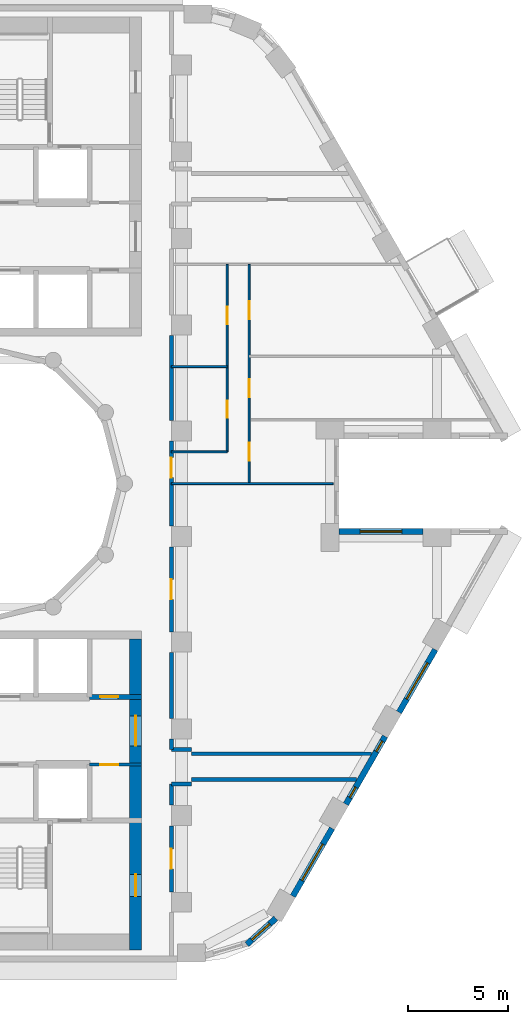
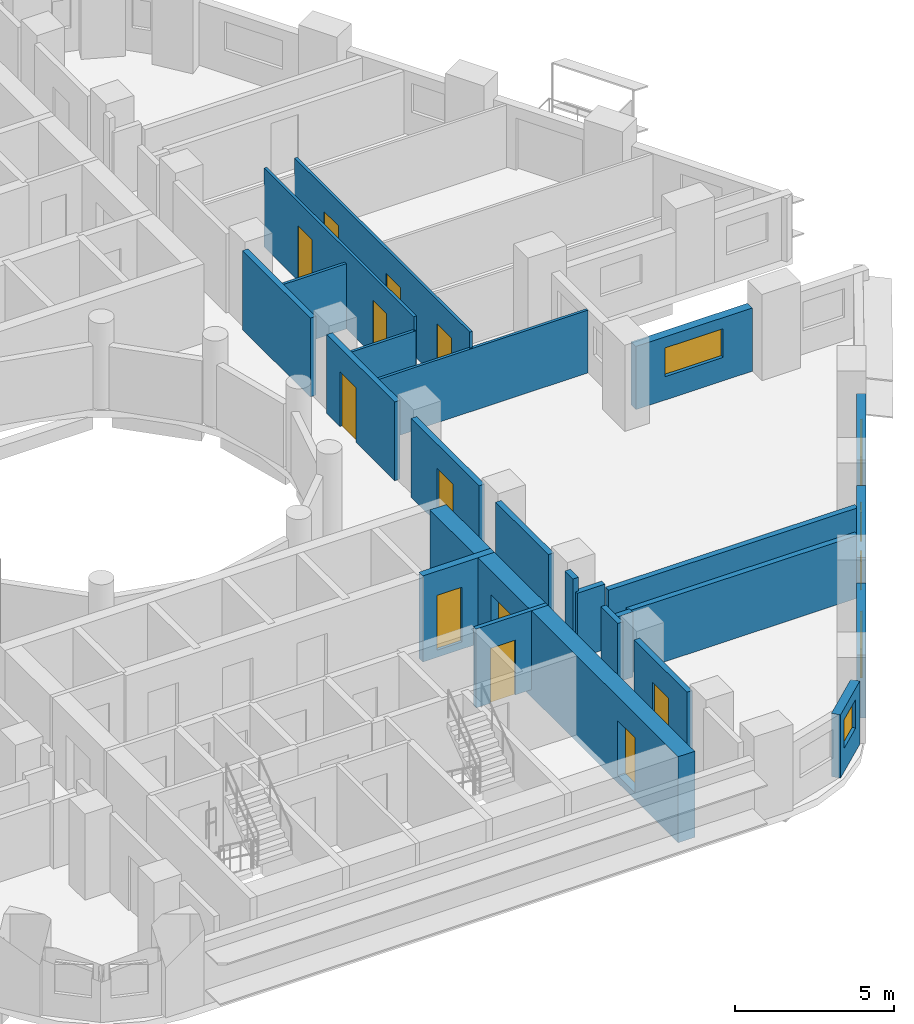
# One storey, part 5 of 14: 24 walls, 12 doors, 6 windows, 18 openings.
"""IFC4 building model written with IfcOpenShell, lengths in metres."""

from ifc_helpers import new_model, si_unit, direction, frame, frame_2d, origin, place, context, subcontext, project, spatial, rectangle, extrude, material, layer, layer_set, type_object, element, fill, save


model = new_model("IFC4")

# Units and contexts
model_context = context("Model", 3, precision=1e-05, world=origin(), true_north=direction((0.0, 1.0)))
body_context = subcontext(model_context, "Body", "Model", "MODEL_VIEW")
ifc_project = project(units=[si_unit("LENGTHUNIT", "METRE"), si_unit("AREAUNIT", "SQUARE_METRE"), si_unit("VOLUMEUNIT", "CUBIC_METRE"), si_unit("PLANEANGLEUNIT", "RADIAN"), si_unit("MASSUNIT", "GRAM", prefix="KILO")], contexts=[model_context])

# Site, building, storey
site_placement = place(None, origin())
site = spatial("IfcSite", under=ifc_project, at=site_placement, CompositionType="ELEMENT")
building_placement = place(site_placement, origin())
building = spatial("IfcBuilding", under=site, at=building_placement, Name="Nakaniwa Court", CompositionType="ELEMENT")
storey_placement = place(building_placement, frame((0.0, 0.0, 114.0)))
storey = spatial("IfcBuildingStorey", under=building, at=storey_placement, Name="L30", CompositionType="ELEMENT", Elevation=114.0)

# Wall, opening, door
ifc_material_1 = material(Name="Acoustic double stud partition")
ifc_layer_1 = layer(ifc_material_1, 0.199951171875)
ifc_layer_set_1 = layer_set([ifc_layer_1], Name="Acoustic double stud partition")
wall_type_1 = type_object("IfcWallType", Name="Acoustic double stud partition 200", PredefinedType="PARTITIONING", material=ifc_layer_set_1)
wall_1_placement = place(storey_placement, frame((89.5, 62.8330078125, 0.0), z_axis=(0.0, 0.0, 1.0), x_axis=(0.0, -1.0, 0.0)))
wall_1 = element("IfcWall", 1, at=wall_1_placement, inside=storey, type_object=wall_type_1, Name="Partition PW-070", PredefinedType="PARTITIONING", context=body_context, shape_type="SweptSolid", body=[
    extrude(rectangle(XDim=3.31591796875, YDim=0.199951171875, at=frame_2d((1.657958984375, 0.0))), origin(), (0.0, 0.0, 1.0), 3.02490234375),
])
opening_1_placement = place(wall_1_placement, frame((1.157958984375, 0.0, 0.0)))
opening_1 = element("IfcOpeningElement", 2, at=opening_1_placement, cuts=wall_1, Name="Opening D-02-01", PredefinedType="OPENING", context=body_context, shape_type="SweptSolid", body=[
    extrude(rectangle(XDim=1.0, YDim=2.10009765625, at=frame_2d((0.5, 1.050048828125))), frame((0.0, 0.10986328125, 0.0), z_axis=(0.0, -1.0, 0.0), x_axis=(1.0, 0.0, 0.0)), (0.0, 0.0, 1.0), 0.219970703125),
])
ifc_material_2 = material(Name="Solid core timber door set, black veneer", Category="wood")
door_type_1 = type_object("IfcDoorType", Name="Internal door 1000", OperationType="NOTDEFINED", PredefinedType="DOOR", material=ifc_material_2)
door_1_placement = place(opening_1_placement, origin())
door_1 = element("IfcDoor", 3, at=door_1_placement, inside=storey, type_object=door_type_1, Name="Door D-02-01 L30-027", OperationType="SINGLE_SWING_RIGHT", OverallHeight=2.10009765625, OverallWidth=1.0, PredefinedType="DOOR", context=body_context, shape_type="SweptSolid", body=[
    extrude(rectangle(XDim=1.0, YDim=2.10009765625, at=frame_2d((0.5, 1.050048828125))), frame((0.0, 0.02490234375, 0.0), z_axis=(0.0, -1.0, 0.0), x_axis=(1.0, 0.0, 0.0)), (0.0, 0.0, 1.0), 0.050048828125),
])
fill(opening_1, door_1)

# Walls
wall_2_placement = place(storey_placement, frame((89.5, 63.866943359375, 0.0), z_axis=(0.0, 0.0, 1.0), x_axis=(0.0, 1.0, 0.0)))
element("IfcWall", 4, at=wall_2_placement, inside=storey, type_object=wall_type_1, Name="Partition PW-071", PredefinedType="PARTITIONING", context=body_context, shape_type="SweptSolid", body=[
    extrude(rectangle(XDim=1.06103515625, YDim=0.199951171875, at=frame_2d((0.530517578125, 0.0))), origin(), (0.0, 0.0, 1.0), 3.02490234375),
])
wall_3_placement = place(storey_placement, frame((89.5, 66.672119140625, 0.0), z_axis=(0.0, 0.0, 1.0), x_axis=(0.0, 1.0, 0.0)))
element("IfcWall", 5, at=wall_3_placement, inside=storey, type_object=wall_type_1, Name="Partition PW-072", PredefinedType="PARTITIONING", context=body_context, shape_type="SweptSolid", body=[
    extrude(rectangle(XDim=0.510986328125, YDim=0.199951171875, at=frame_2d((0.25537109375, 0.0))), origin(), (0.0, 0.0, 1.0), 3.02490234375),
])
wall_4_placement = place(storey_placement, frame((89.5, 68.217041015625, 0.0), z_axis=(0.0, 0.0, 1.0), x_axis=(0.0, 1.0, 0.0)))
element("IfcWall", 6, at=wall_4_placement, inside=storey, type_object=wall_type_1, Name="Partition PW-073", PredefinedType="PARTITIONING", context=body_context, shape_type="SweptSolid", body=[
    extrude(rectangle(XDim=3.31591796875, YDim=0.199951171875, at=frame_2d((1.657958984375, 0.0))), origin(), (0.0, 0.0, 1.0), 3.02490234375),
])

# Wall, opening, door
wall_5_placement = place(storey_placement, frame((89.5, 76.8330078125, 0.0), z_axis=(0.0, 0.0, 1.0), x_axis=(0.0, -1.0, 0.0)))
wall_5 = element("IfcWall", 7, at=wall_5_placement, inside=storey, type_object=wall_type_1, Name="Partition PW-074", PredefinedType="PARTITIONING", context=body_context, shape_type="SweptSolid", body=[
    extrude(rectangle(XDim=4.26611328125, YDim=0.199951171875, at=frame_2d((2.133056640625, 0.0))), origin(), (0.0, 0.0, 1.0), 3.02490234375),
])
opening_2_placement = place(wall_5_placement, frame((1.633056640625, 0.0, 0.0)))
opening_2 = element("IfcOpeningElement", 8, at=opening_2_placement, cuts=wall_5, Name="Opening D-02-02", PredefinedType="OPENING", context=body_context, shape_type="SweptSolid", body=[
    extrude(rectangle(XDim=1.0, YDim=2.10009765625, at=frame_2d((0.5, 1.050048828125))), frame((0.0, 0.10986328125, 0.0), z_axis=(0.0, -1.0, 0.0), x_axis=(1.0, 0.0, 0.0)), (0.0, 0.0, 1.0), 0.219970703125),
])
door_2_placement = place(opening_2_placement, origin())
door_2 = element("IfcDoor", 9, at=door_2_placement, inside=storey, type_object=door_type_1, Name="Door D-02-02 L30-028", OperationType="SINGLE_SWING_LEFT", OverallHeight=2.10009765625, OverallWidth=1.0, PredefinedType="DOOR", context=body_context, shape_type="SweptSolid", body=[
    extrude(rectangle(XDim=1.0, YDim=2.10009765625, at=frame_2d((0.5, 1.050048828125))), frame((0.0, 0.02490234375, 0.0), z_axis=(0.0, -1.0, 0.0), x_axis=(1.0, 0.0, 0.0)), (0.0, 0.0, 1.0), 0.050048828125),
])
fill(opening_2, door_2)

wall_6_placement = place(storey_placement, frame((89.5, 82.133056640625, 0.0), z_axis=(0.0, 0.0, 1.0), x_axis=(0.0, -1.0, 0.0)))
wall_6 = element("IfcWall", 10, at=wall_6_placement, inside=storey, type_object=wall_type_1, Name="Partition PW-075", PredefinedType="PARTITIONING", context=body_context, shape_type="SweptSolid", body=[
    extrude(rectangle(XDim=4.26611328125, YDim=0.199951171875, at=frame_2d((2.133056640625, 0.0))), origin(), (0.0, 0.0, 1.0), 3.02490234375),
])
opening_3_placement = place(wall_6_placement, frame((0.8330078125, 0.0, 0.0)))
opening_3 = element("IfcOpeningElement", 11, at=opening_3_placement, cuts=wall_6, Name="Opening D-01-01", PredefinedType="OPENING", context=body_context, shape_type="SweptSolid", body=[
    extrude(rectangle(XDim=1.0, YDim=2.10009765625, at=frame_2d((0.5, 1.050048828125))), frame((0.0, 0.10986328125, 0.0), z_axis=(0.0, -1.0, 0.0), x_axis=(1.0, 0.0, 0.0)), (0.0, 0.0, 1.0), 0.219970703125),
])
door_type_2 = type_object("IfcDoorType", Name="Flat entrance door 1000", OperationType="NOTDEFINED", PredefinedType="DOOR", material=ifc_material_2)
door_3_placement = place(opening_3_placement, origin())
door_3 = element("IfcDoor", 12, at=door_3_placement, inside=storey, type_object=door_type_2, Name="Door D-01-01 L30-029", OperationType="SINGLE_SWING_RIGHT", OverallHeight=2.10009765625, OverallWidth=1.0, PredefinedType="DOOR", context=body_context, shape_type="SweptSolid", body=[
    extrude(rectangle(XDim=1.0, YDim=2.10009765625, at=frame_2d((0.5, 1.050048828125))), frame((0.0, 0.02490234375, 0.0), z_axis=(0.0, -1.0, 0.0), x_axis=(1.0, 0.0, 0.0)), (0.0, 0.0, 1.0), 0.050048828125),
])
fill(opening_3, door_3)

# Walls
wall_7_placement = place(storey_placement, frame((89.5, 83.1669921875, 0.0), z_axis=(0.0, 0.0, 1.0), x_axis=(0.0, 1.0, 0.0)))
element("IfcWall", 13, at=wall_7_placement, inside=storey, type_object=wall_type_1, Name="Partition PW-076", PredefinedType="PARTITIONING", context=body_context, shape_type="SweptSolid", body=[
    extrude(rectangle(XDim=4.26611328125, YDim=0.199951171875, at=frame_2d((2.133056640625, 0.0))), origin(), (0.0, 0.0, 1.0), 3.02490234375),
])
wall_8_placement = place(storey_placement, frame((90.5, 65.14990234375, 0.0), z_axis=(0.0, 0.0, 1.0), x_axis=(1.0, 0.0, 0.0)))
element("IfcWall", 14, at=wall_8_placement, inside=storey, type_object=wall_type_1, Name="Partition PW-091", PredefinedType="PARTITIONING", context=body_context, shape_type="SweptSolid", body=[
    extrude(rectangle(XDim=8.292724609375, YDim=0.199951171875, at=frame_2d((4.146484375, 0.0))), origin(), (0.0, 0.0, 1.0), 2.405029296875),
])
for number, where, z_axis, x_axis, name in (
    (15, (89.5, 64.925048828125, 0.0), (0.0, 0.0, 1.0), (1.0, 0.0, 0.0), "Partition PW-093"),
    (16, (89.5, 66.675048828125, 0.0), (0.0, 0.0, 1.0), (1.0, 0.0, 0.0), "Partition PW-095"),
):
    element("IfcWall", number, at=place(storey_placement, frame(where, z_axis=z_axis, x_axis=x_axis)), inside=storey, type_object=wall_type_1, Name=name, PredefinedType="PARTITIONING", context=body_context, shape_type="SweptSolid", body=[
        extrude(rectangle(XDim=1.0, YDim=0.199951171875, at=frame_2d((0.5, 0.0))), origin(), (0.0, 0.0, 1.0), 2.5048828125),
    ])
wall_9_placement = place(storey_placement, frame((90.5, 66.449951171875, 0.0), z_axis=(0.0, 0.0, 1.0), x_axis=(1.0, 0.0, 0.0)))
element("IfcWall", 17, at=wall_9_placement, inside=storey, type_object=wall_type_1, Name="Partition PW-097", PredefinedType="PARTITIONING", context=body_context, shape_type="SweptSolid", body=[
    extrude(rectangle(XDim=9.043212890625, YDim=0.199951171875, at=frame_2d((4.521484375, 0.0))), origin(), (0.0, 0.0, 1.0), 2.405029296875),
])

# Wall, opening, window
ifc_material_3 = material(Name="Charcoal ceramic cladding")
ifc_layer_2 = layer(ifc_material_3, 0.02, Name="Ceramic cladding")
ifc_material_4 = material(Name="Ventilated air cavity")
ifc_layer_3 = layer(ifc_material_4, 0.04, ventilated=True, Name="Ventilated cavity")
ifc_material_5 = material(Name="Mineral wool insulation")
ifc_layer_4 = layer(ifc_material_5, 0.1, Name="Insulation")
ifc_material_6 = material(Name="Cement bonded sheathing board")
ifc_layer_5 = layer(ifc_material_6, 0.012, Name="Sheathing")
ifc_material_7 = material(Name="Cold-formed galvanised stud frame with mineral wool infill")
ifc_layer_6 = layer(ifc_material_7, 0.1, Name="Stud frame")
ifc_material_8 = material(Name="Fire-rated gypsum plasterboard lining")
ifc_layer_7 = layer(ifc_material_8, 0.028, Name="Lining")
ifc_layer_set_2 = layer_set([ifc_layer_2, ifc_layer_3, ifc_layer_4, ifc_layer_5, ifc_layer_6, ifc_layer_7], Name="Charcoal ceramic faced external wall system")
wall_type_2 = type_object("IfcWallType", Name="Black ceramic faced external wall 300", PredefinedType="SOLIDWALL", material=ifc_layer_set_2)
wall_10_placement = place(storey_placement, frame((93.283447265625, 56.88671875, 0.0), z_axis=(0.0, 0.0, 1.0), x_axis=(0.743785734967, 0.668418117992, 0.0)))
wall_10 = element("IfcWall", 18, at=wall_10_placement, inside=storey, type_object=wall_type_2, Name="L30 external wall 28", PredefinedType="SOLIDWALL", context=body_context, shape_type="SweptSolid", body=[
    extrude(rectangle(XDim=1.9501953125, YDim=0.300048828125, at=frame_2d((0.97509765625, 0.0))), origin(), (0.0, 0.0, 1.0), 2.425048828125),
])
opening_4_placement = place(wall_10_placement, frame((0.334716796875, 0.0, 0.89990234375)))
opening_4 = element("IfcOpeningElement", 19, at=opening_4_placement, cuts=wall_10, Name="Opening W6.22", PredefinedType="OPENING", context=body_context, shape_type="SweptSolid", body=[
    extrude(rectangle(XDim=1.199951171875, YDim=1.10009765625, at=frame_2d((0.60009765625, 0.550048828125))), frame((0.0, 0.159912109375, 0.0), z_axis=(0.0, -1.0, 0.0), x_axis=(1.0, 0.0, 0.0)), (0.0, 0.0, 1.0), 0.320068359375),
])
ifc_material_9 = material(Name="Black anodised aluminium frame with dark low-E laminated double glazing", Category="aluminium")
window_type_1 = type_object("IfcWindowType", Name="Dark glass window 1200x1100 sill 900", PartitioningType="SINGLE_PANEL", PredefinedType="WINDOW", material=ifc_material_9)
window_1_placement = place(opening_4_placement, origin())
window_1 = element("IfcWindow", 20, at=window_1_placement, inside=storey, type_object=window_type_1, Name="L30 habitable room window 28-0", OverallHeight=1.10009765625, OverallWidth=1.199951171875, PartitioningType="SINGLE_PANEL", PredefinedType="WINDOW", context=body_context, shape_type="SweptSolid", body=[
    extrude(rectangle(XDim=1.199951171875, YDim=1.10009765625, at=frame_2d((0.60009765625, 0.550048828125))), frame((0.0, 0.030029296875, 0.0), z_axis=(0.0, -1.0, 0.0), x_axis=(1.0, 0.0, 0.0)), (0.0, 0.0, 1.0), 0.06005859375),
])
fill(opening_4, window_1)

wall_11_placement = place(storey_placement, frame((95.59033203125, 59.30322265625, 0.0), z_axis=(0.0, 0.0, 1.0), x_axis=(0.500003583557, 0.866023334807, 0.0)))
wall_11 = element("IfcWall", 21, at=wall_11_placement, inside=storey, type_object=wall_type_2, Name="L30 external wall 29", PredefinedType="SOLIDWALL", context=body_context, shape_type="SweptSolid", body=[
    extrude(rectangle(XDim=3.93408203125, YDim=0.300048828125, at=frame_2d((1.967041015625, 0.0))), origin(), (0.0, 0.0, 1.0), 2.425048828125),
])
opening_5_placement = place(wall_11_placement, frame((0.9169921875, 0.0, 0.89990234375)))
opening_5 = element("IfcOpeningElement", 22, at=opening_5_placement, cuts=wall_11, Name="Opening W7.23", PredefinedType="OPENING", context=body_context, shape_type="SweptSolid", body=[
    extrude(rectangle(XDim=2.10009765625, YDim=1.10009765625, at=frame_2d((1.050048828125, 0.550048828125))), frame((0.0, 0.159912109375, 0.0), z_axis=(0.0, -1.0, 0.0), x_axis=(1.0, 0.0, 0.0)), (0.0, 0.0, 1.0), 0.320068359375),
])
window_type_2 = type_object("IfcWindowType", Name="Dark glass window 2100x1100 sill 900", PartitioningType="SINGLE_PANEL", PredefinedType="WINDOW", material=ifc_material_9)
window_2_placement = place(opening_5_placement, origin())
window_2 = element("IfcWindow", 23, at=window_2_placement, inside=storey, type_object=window_type_2, Name="L30 habitable room window 29-0", OverallHeight=1.10009765625, OverallWidth=2.10009765625, PartitioningType="SINGLE_PANEL", PredefinedType="WINDOW", context=body_context, shape_type="SweptSolid", body=[
    extrude(rectangle(XDim=2.10009765625, YDim=1.10009765625, at=frame_2d((1.050048828125, 0.550048828125))), frame((0.0, 0.030029296875, 0.0), z_axis=(0.0, -1.0, 0.0), x_axis=(1.0, 0.0, 0.0)), (0.0, 0.0, 1.0), 0.06005859375),
])
fill(opening_5, window_2)

# Wall, openings, windows
wall_12_placement = place(storey_placement, frame((98.25341796875, 63.91552734375, 0.0), z_axis=(0.0, 0.0, 1.0), x_axis=(0.499957037901, 0.866050206543, 0.0)))
wall_12 = element("IfcWall", 24, at=wall_12_placement, inside=storey, type_object=wall_type_2, Name="L30 external wall 30", PredefinedType="SOLIDWALL", context=body_context, shape_type="SweptSolid", body=[
    extrude(rectangle(XDim=3.933837890625, YDim=0.300048828125, at=frame_2d((1.966796875, 0.0))), origin(), (0.0, 0.0, 1.0), 2.425048828125),
])
opening_6_placement = place(wall_12_placement, frame((0.388671875, 0.0, 0.89990234375)))
opening_6 = element("IfcOpeningElement", 25, at=opening_6_placement, cuts=wall_12, Name="Opening W8.24", PredefinedType="OPENING", context=body_context, shape_type="SweptSolid", body=[
    extrude(rectangle(XDim=0.60009765625, YDim=1.10009765625, at=frame_2d((0.300048828125, 0.550048828125))), frame((0.0, 0.159912109375, 0.0), z_axis=(0.0, -1.0, 0.0), x_axis=(1.0, 0.0, 0.0)), (0.0, 0.0, 1.0), 0.320068359375),
])
opening_7_placement = place(wall_12_placement, frame((3.05615234375, 0.0, 0.89990234375)))
opening_7 = element("IfcOpeningElement", 26, at=opening_7_placement, cuts=wall_12, Name="Opening W8.25", PredefinedType="OPENING", context=body_context, shape_type="SweptSolid", body=[
    extrude(rectangle(XDim=0.60009765625, YDim=1.10009765625, at=frame_2d((0.300048828125, 0.550048828125))), frame((0.0, 0.159912109375, 0.0), z_axis=(0.0, -1.0, 0.0), x_axis=(1.0, 0.0, 0.0)), (0.0, 0.0, 1.0), 0.320068359375),
])
window_type_3 = type_object("IfcWindowType", Name="Dark glass window 600x1100 sill 900", PartitioningType="SINGLE_PANEL", PredefinedType="WINDOW", material=ifc_material_9)
window_3_placement = place(opening_6_placement, origin())
window_3 = element("IfcWindow", 27, at=window_3_placement, inside=storey, type_object=window_type_3, Name="L30 habitable room window 30-0", OverallHeight=1.10009765625, OverallWidth=0.60009765625, PartitioningType="SINGLE_PANEL", PredefinedType="WINDOW", context=body_context, shape_type="SweptSolid", body=[
    extrude(rectangle(XDim=0.60009765625, YDim=1.10009765625, at=frame_2d((0.300048828125, 0.550048828125))), frame((0.0, 0.030029296875, 0.0), z_axis=(0.0, -1.0, 0.0), x_axis=(1.0, 0.0, 0.0)), (0.0, 0.0, 1.0), 0.06005859375),
])
fill(opening_6, window_3)
window_4_placement = place(opening_7_placement, origin())
window_4 = element("IfcWindow", 28, at=window_4_placement, inside=storey, type_object=window_type_3, Name="L30 habitable room window 30-2", OverallHeight=1.10009765625, OverallWidth=0.60009765625, PartitioningType="SINGLE_PANEL", PredefinedType="WINDOW", context=body_context, shape_type="SweptSolid", body=[
    extrude(rectangle(XDim=0.60009765625, YDim=1.10009765625, at=frame_2d((0.300048828125, 0.550048828125))), frame((0.0, 0.030029296875, 0.0), z_axis=(0.0, -1.0, 0.0), x_axis=(1.0, 0.0, 0.0)), (0.0, 0.0, 1.0), 0.06005859375),
])
fill(opening_7, window_4)

# Wall, opening, window
wall_13_placement = place(storey_placement, frame((100.916259765625, 68.528076171875, 0.0), z_axis=(0.0, 0.0, 1.0), x_axis=(0.500009139881, 0.866020126807, 0.0)))
wall_13 = element("IfcWall", 29, at=wall_13_placement, inside=storey, type_object=wall_type_2, Name="L30 external wall 31", PredefinedType="SOLIDWALL", context=body_context, shape_type="SweptSolid", body=[
    extrude(rectangle(XDim=3.63671875, YDim=0.300048828125, at=frame_2d((1.818359375, 0.0))), origin(), (0.0, 0.0, 1.0), 2.425048828125),
])
opening_8_placement = place(wall_13_placement, frame((0.768310546875, 0.0, 0.89990234375)))
opening_8 = element("IfcOpeningElement", 30, at=opening_8_placement, cuts=wall_13, Name="Opening W7.26", PredefinedType="OPENING", context=body_context, shape_type="SweptSolid", body=[
    extrude(rectangle(XDim=2.10009765625, YDim=1.10009765625, at=frame_2d((1.050048828125, 0.550048828125))), frame((0.0, 0.159912109375, 0.0), z_axis=(0.0, -1.0, 0.0), x_axis=(1.0, 0.0, 0.0)), (0.0, 0.0, 1.0), 0.320068359375),
])
window_5_placement = place(opening_8_placement, origin())
window_5 = element("IfcWindow", 31, at=window_5_placement, inside=storey, type_object=window_type_2, Name="L30 habitable room window 31-0", OverallHeight=1.10009765625, OverallWidth=2.10009765625, PartitioningType="SINGLE_PANEL", PredefinedType="WINDOW", context=body_context, shape_type="SweptSolid", body=[
    extrude(rectangle(XDim=2.10009765625, YDim=1.10009765625, at=frame_2d((1.050048828125, 0.550048828125))), frame((0.0, 0.030029296875, 0.0), z_axis=(0.0, -1.0, 0.0), x_axis=(1.0, 0.0, 0.0)), (0.0, 0.0, 1.0), 0.06005859375),
])
fill(opening_8, window_5)

wall_14_placement = place(storey_placement, frame((102.126953125, 77.60009765625, 0.0), z_axis=(0.0, 0.0, 1.0), x_axis=(-1.0, 0.0, 0.0)))
wall_14 = element("IfcWall", 32, at=wall_14_placement, inside=storey, type_object=wall_type_2, Name="L30 external wall 34", PredefinedType="SOLIDWALL", context=body_context, shape_type="SweptSolid", body=[
    extrude(rectangle(XDim=4.22265625, YDim=0.300048828125, at=frame_2d((2.111328125, 0.0))), origin(), (0.0, 0.0, 1.0), 2.425048828125),
])
opening_9_placement = place(wall_14_placement, frame((1.061279296875, 0.0, 0.89990234375)))
opening_9 = element("IfcOpeningElement", 33, at=opening_9_placement, cuts=wall_14, Name="Opening W7.29", PredefinedType="OPENING", context=body_context, shape_type="SweptSolid", body=[
    extrude(rectangle(XDim=2.10009765625, YDim=1.10009765625, at=frame_2d((1.050048828125, 0.550048828125))), frame((0.0, 0.159912109375, 0.0), z_axis=(0.0, -1.0, 0.0), x_axis=(1.0, 0.0, 0.0)), (0.0, 0.0, 1.0), 0.320068359375),
])
window_6_placement = place(opening_9_placement, origin())
window_6 = element("IfcWindow", 34, at=window_6_placement, inside=storey, type_object=window_type_2, Name="L30 habitable room window 34-0", OverallHeight=1.10009765625, OverallWidth=2.10009765625, PartitioningType="SINGLE_PANEL", PredefinedType="WINDOW", context=body_context, shape_type="SweptSolid", body=[
    extrude(rectangle(XDim=2.10009765625, YDim=1.10009765625, at=frame_2d((1.050048828125, 0.550048828125))), frame((0.0, 0.030029296875, 0.0), z_axis=(0.0, -1.0, 0.0), x_axis=(1.0, 0.0, 0.0)), (0.0, 0.0, 1.0), 0.06005859375),
])
fill(opening_9, window_6)

# Wall, opening, door
ifc_material_10 = material(Name="Blockwork partition", Category="masonry")
ifc_layer_8 = layer(ifc_material_10, 0.14990234375)
ifc_layer_set_3 = layer_set([ifc_layer_8], Name="Blockwork partition")
wall_type_3 = type_object("IfcWallType", Name="Blockwork partition 150", PredefinedType="PARTITIONING", material=ifc_layer_set_3)
wall_15_placement = place(storey_placement, frame((88.0, 65.89990234375, 0.0), z_axis=(0.0, 0.0, 1.0), x_axis=(-1.0, 0.0, 0.0)))
wall_15 = element("IfcWall", 35, at=wall_15_placement, inside=storey, type_object=wall_type_3, Name="Partition PW-052", PredefinedType="PARTITIONING", context=body_context, shape_type="SweptSolid", body=[
    extrude(rectangle(XDim=2.60302734375, YDim=0.14990234375, at=frame_2d((1.301513671875, 0.0))), origin(), (0.0, 0.0, 1.0), 3.02490234375),
])
opening_10_placement = place(wall_15_placement, frame((1.175048828125, 0.0, 0.0)))
opening_10 = element("IfcOpeningElement", 36, at=opening_10_placement, cuts=wall_15, Name="Opening D-05-14", PredefinedType="OPENING", context=body_context, shape_type="SweptSolid", body=[
    extrude(rectangle(XDim=0.89990234375, YDim=2.10009765625, at=frame_2d((0.449951171875, 1.050048828125))), frame((0.0, 0.0849609375, 0.0), z_axis=(0.0, -1.0, 0.0), x_axis=(1.0, 0.0, 0.0)), (0.0, 0.0, 1.0), 0.169921875),
])
ifc_material_11 = material(Name="Fire rated steel door set", Category="steel")
door_type_3 = type_object("IfcDoorType", Name="Service room door 900", OperationType="NOTDEFINED", PredefinedType="DOOR", material=ifc_material_11)
door_4_placement = place(opening_10_placement, origin())
door_4 = element("IfcDoor", 37, at=door_4_placement, inside=storey, type_object=door_type_3, Name="Door D-05-14 L30-021", OperationType="SINGLE_SWING_RIGHT", OverallHeight=2.10009765625, OverallWidth=0.89990234375, PredefinedType="DOOR", context=body_context, shape_type="SweptSolid", body=[
    extrude(rectangle(XDim=0.89990234375, YDim=2.10009765625, at=frame_2d((0.449951171875, 1.050048828125))), frame((0.0, 0.02490234375, 0.0), z_axis=(0.0, -1.0, 0.0), x_axis=(1.0, 0.0, 0.0)), (0.0, 0.0, 1.0), 0.050048828125),
])
fill(opening_10, door_4)

# Wall, openings, doors
ifc_material_12 = material(Name="Concrete C80/100", Category="concrete")
ifc_layer_9 = layer(ifc_material_12, 0.60009765625)
ifc_layer_set_4 = layer_set([ifc_layer_9], Name="Concrete C80/100")
wall_type_4 = type_object("IfcWallType", Name="Concrete core side wall 600 C80", PredefinedType="SHEAR", material=ifc_layer_set_4)
wall_16_placement = place(storey_placement, frame((87.699951171875, 72.199951171875, -0.27490234375), z_axis=(0.0, 0.0, 1.0), x_axis=(0.0, -1.0, 0.0)))
wall_16 = element("IfcWall", 38, at=wall_16_placement, inside=storey, type_object=wall_type_4, Name="Core wall SW-49", PredefinedType="SHEAR", context=body_context, shape_type="SweptSolid", body=[
    extrude(rectangle(XDim=15.599853515625, YDim=0.60009765625, at=frame_2d((7.7998046875, 0.0))), origin(), (0.0, 0.0, 1.0), 3.2998046875),
])
opening_11_placement = place(wall_16_placement, frame((3.85009765625, 0.0, 0.27490234375)))
opening_11 = element("IfcOpeningElement", 39, at=opening_11_placement, cuts=wall_16, Name="Opening D-07-03", PredefinedType="OPENING", context=body_context, shape_type="SweptSolid", body=[
    extrude(rectangle(XDim=1.5, YDim=2.10009765625, at=frame_2d((0.75, 1.050048828125))), frame((0.0, 0.31005859375, 0.0), z_axis=(0.0, -1.0, 0.0), x_axis=(1.0, 0.0, 0.0)), (0.0, 0.0, 1.0), 0.6201171875),
])
opening_12_placement = place(wall_16_placement, frame((11.800048828125, 0.0, 0.27490234375)))
opening_12 = element("IfcOpeningElement", 40, at=opening_12_placement, cuts=wall_16, Name="Opening D-10-02", PredefinedType="OPENING", context=body_context, shape_type="SweptSolid", body=[
    extrude(rectangle(XDim=1.10009765625, YDim=2.10009765625, at=frame_2d((0.550048828125, 1.050048828125))), frame((0.0, 0.31005859375, 0.0), z_axis=(0.0, -1.0, 0.0), x_axis=(1.0, 0.0, 0.0)), (0.0, 0.0, 1.0), 0.6201171875),
])
door_type_4 = type_object("IfcDoorType", Name="Firefighting lobby door 1100", OperationType="NOTDEFINED", PredefinedType="DOOR", material=ifc_material_11)
door_5_placement = place(opening_12_placement, origin())
door_5 = element("IfcDoor", 41, at=door_5_placement, inside=storey, type_object=door_type_4, Name="Door D-10-02 L30-052", OperationType="SINGLE_SWING_LEFT", OverallHeight=2.10009765625, OverallWidth=1.10009765625, PredefinedType="DOOR", context=body_context, shape_type="SweptSolid", body=[
    extrude(rectangle(XDim=1.10009765625, YDim=2.10009765625, at=frame_2d((0.550048828125, 1.050048828125))), frame((0.0, 0.02490234375, 0.0), z_axis=(0.0, -1.0, 0.0), x_axis=(1.0, 0.0, 0.0)), (0.0, 0.0, 1.0), 0.050048828125),
])
fill(opening_12, door_5)
ifc_material_13 = material(Name="Glazed fire rated steel double door set", Category="steel")
door_type_5 = type_object("IfcDoorType", Name="Lobby double door 1500", OperationType="NOTDEFINED", PredefinedType="DOOR", material=ifc_material_13)
door_6_placement = place(opening_11_placement, origin())
door_6 = element("IfcDoor", 42, at=door_6_placement, inside=storey, type_object=door_type_5, Name="Door D-07-03 L30-050", OperationType="DOUBLE_DOOR_SINGLE_SWING", OverallHeight=2.10009765625, OverallWidth=1.5, PredefinedType="DOOR", context=body_context, shape_type="SweptSolid", body=[
    extrude(rectangle(XDim=1.5, YDim=2.10009765625, at=frame_2d((0.75, 1.050048828125))), frame((0.0, 0.02490234375, 0.0), z_axis=(0.0, -1.0, 0.0), x_axis=(1.0, 0.0, 0.0)), (0.0, 0.0, 1.0), 0.050048828125),
])
fill(opening_11, door_6)

# Wall, opening, door
ifc_layer_10 = layer(ifc_material_12, 0.25)
ifc_layer_set_5 = layer_set([ifc_layer_10], Name="Concrete C80/100")
wall_type_5 = type_object("IfcWallType", Name="Concrete shaft wall 250 C80", PredefinedType="SHEAR", material=ifc_layer_set_5)
wall_17_placement = place(storey_placement, frame((85.39990234375, 69.300048828125, -0.27490234375), z_axis=(0.0, 0.0, 1.0), x_axis=(1.0, 0.0, 0.0)))
wall_17 = element("IfcWall", 43, at=wall_17_placement, inside=storey, type_object=wall_type_5, Name="Core wall SW-48", PredefinedType="SHEAR", context=body_context, shape_type="SweptSolid", body=[
    extrude(rectangle(XDim=2.60009765625, YDim=0.25, at=frame_2d((1.300048828125, 0.0))), origin(), (0.0, 0.0, 1.0), 3.2998046875),
])
opening_13_placement = place(wall_17_placement, frame((0.52490234375, 0.0, 0.27490234375)))
opening_13 = element("IfcOpeningElement", 44, at=opening_13_placement, cuts=wall_17, Name="Opening D-05-10", PredefinedType="OPENING", context=body_context, shape_type="SweptSolid", body=[
    extrude(rectangle(XDim=0.89990234375, YDim=2.10009765625, at=frame_2d((0.449951171875, 1.050048828125))), frame((0.0, 0.135009765625, 0.0), z_axis=(0.0, -1.0, 0.0), x_axis=(1.0, 0.0, 0.0)), (0.0, 0.0, 1.0), 0.27001953125),
])
door_7_placement = place(opening_13_placement, origin())
door_7 = element("IfcDoor", 45, at=door_7_placement, inside=storey, type_object=door_type_3, Name="Door D-05-10 L30-015", OperationType="SINGLE_SWING_RIGHT", OverallHeight=2.10009765625, OverallWidth=0.89990234375, PredefinedType="DOOR", context=body_context, shape_type="SweptSolid", body=[
    extrude(rectangle(XDim=0.89990234375, YDim=2.10009765625, at=frame_2d((0.449951171875, 1.050048828125))), frame((0.0, 0.02490234375, 0.0), z_axis=(0.0, -1.0, 0.0), x_axis=(1.0, 0.0, 0.0)), (0.0, 0.0, 1.0), 0.050048828125),
])
fill(opening_13, door_7)

# Walls
ifc_material_14 = material(Name="Single stud plasterboard partition")
ifc_layer_11 = layer(ifc_material_14, 0.10009765625)
ifc_layer_set_6 = layer_set([ifc_layer_11], Name="Single stud plasterboard partition")
wall_type_6 = type_object("IfcWallType", Name="Single stud plasterboard partition 100", PredefinedType="PARTITIONING", material=ifc_layer_set_6)
wall_18_placement = place(storey_placement, frame((89.5, 80.0, 0.0), z_axis=(0.0, 0.0, 1.0), x_axis=(1.0, 0.0, 0.0)))
element("IfcWall", 46, at=wall_18_placement, inside=storey, type_object=wall_type_6, Name="Partition PW-111", PredefinedType="PARTITIONING", context=body_context, shape_type="SweptSolid", body=[
    extrude(rectangle(XDim=8.1083984375, YDim=0.10009765625, at=frame_2d((4.05419921875, 0.0))), origin(), (0.0, 0.0, 1.0), 2.405029296875),
])
for number, where, z_axis, x_axis, name in (
    (47, (89.5, 85.873046875, 0.0), (0.0, 0.0, 1.0), (1.0, 0.0, 0.0), "Partition PW-112"),
    (48, (89.5, 81.60009765625, 0.0), (0.0, 0.0, 1.0), (1.0, 0.0, 0.0), "Partition PW-113"),
):
    element("IfcWall", number, at=place(storey_placement, frame(where, z_axis=z_axis, x_axis=x_axis)), inside=storey, type_object=wall_type_6, Name=name, PredefinedType="PARTITIONING", context=body_context, shape_type="SweptSolid", body=[
        extrude(rectangle(XDim=2.800048828125, YDim=0.10009765625, at=frame_2d((1.39990234375, 0.0))), origin(), (0.0, 0.0, 1.0), 2.5048828125),
    ])

# Wall, openings, doors
wall_19_placement = place(storey_placement, frame((92.300048828125, 81.60009765625, 0.0), z_axis=(0.0, 0.0, 1.0), x_axis=(0.0, 1.0, 0.0)))
wall_19 = element("IfcWall", 49, at=wall_19_placement, inside=storey, type_object=wall_type_6, Name="Partition PW-114", PredefinedType="PARTITIONING", context=body_context, shape_type="SweptSolid", body=[
    extrude(rectangle(XDim=9.39990234375, YDim=0.10009765625, at=frame_2d((4.699951171875, 0.0))), origin(), (0.0, 0.0, 1.0), 3.02490234375),
])
opening_14_placement = place(wall_19_placement, frame((1.7109375, 0.0, 0.0)))
opening_14 = element("IfcOpeningElement", 50, at=opening_14_placement, cuts=wall_19, Name="Opening D-03-01", PredefinedType="OPENING", context=body_context, shape_type="SweptSolid", body=[
    extrude(rectangle(XDim=0.85009765625, YDim=2.10009765625, at=frame_2d((0.425048828125, 1.050048828125))), frame((0.0, 0.06005859375, 0.0), z_axis=(0.0, -1.0, 0.0), x_axis=(1.0, 0.0, 0.0)), (0.0, 0.0, 1.0), 0.1201171875),
])
opening_15_placement = place(wall_19_placement, frame((6.385986328125, 0.0, 0.0)))
opening_15 = element("IfcOpeningElement", 51, at=opening_15_placement, cuts=wall_19, Name="Opening D-33-01", PredefinedType="OPENING", context=body_context, shape_type="SweptSolid", body=[
    extrude(rectangle(XDim=0.89990234375, YDim=2.10009765625, at=frame_2d((0.449951171875, 1.050048828125))), frame((0.0, 0.06005859375, 0.0), z_axis=(0.0, -1.0, 0.0), x_axis=(1.0, 0.0, 0.0)), (0.0, 0.0, 1.0), 0.1201171875),
])
ifc_material_15 = material(Name="Moisture sealed timber door set", Category="wood")
door_type_6 = type_object("IfcDoorType", Name="Bathroom door 850", OperationType="NOTDEFINED", PredefinedType="DOOR", material=ifc_material_15)
door_8_placement = place(opening_14_placement, origin())
door_8 = element("IfcDoor", 52, at=door_8_placement, inside=storey, type_object=door_type_6, Name="Door D-03-01 L30-030", OperationType="SINGLE_SWING_LEFT", OverallHeight=2.10009765625, OverallWidth=0.85009765625, PredefinedType="DOOR", context=body_context, shape_type="SweptSolid", body=[
    extrude(rectangle(XDim=0.85009765625, YDim=2.10009765625, at=frame_2d((0.425048828125, 1.050048828125))), frame((0.0, 0.02490234375, 0.0), z_axis=(0.0, -1.0, 0.0), x_axis=(1.0, 0.0, 0.0)), (0.0, 0.0, 1.0), 0.050048828125),
])
fill(opening_14, door_8)
door_type_7 = type_object("IfcDoorType", Name="Internal door 900", OperationType="NOTDEFINED", PredefinedType="DOOR", material=ifc_material_2)
door_9_placement = place(opening_15_placement, origin())
door_9 = element("IfcDoor", 53, at=door_9_placement, inside=storey, type_object=door_type_7, Name="Door D-33-01 L30-031", OperationType="SINGLE_SWING_RIGHT", OverallHeight=2.10009765625, OverallWidth=0.89990234375, PredefinedType="DOOR", context=body_context, shape_type="SweptSolid", body=[
    extrude(rectangle(XDim=0.89990234375, YDim=2.10009765625, at=frame_2d((0.449951171875, 1.050048828125))), frame((0.0, 0.02490234375, 0.0), z_axis=(0.0, -1.0, 0.0), x_axis=(1.0, 0.0, 0.0)), (0.0, 0.0, 1.0), 0.050048828125),
])
fill(opening_15, door_9)

wall_20_placement = place(storey_placement, frame((93.39990234375, 91.0, 0.0), z_axis=(0.0, 0.0, 1.0), x_axis=(0.0, -1.0, 0.0)))
wall_20 = element("IfcWall", 54, at=wall_20_placement, inside=storey, type_object=wall_type_6, Name="Partition PW-116", PredefinedType="PARTITIONING", context=body_context, shape_type="SweptSolid", body=[
    extrude(rectangle(XDim=11.0, YDim=0.10009765625, at=frame_2d((5.5, 0.0))), origin(), (0.0, 0.0, 1.0), 3.02490234375),
])
opening_16_placement = place(wall_20_placement, frame((8.952880859375, 0.0, 0.0)))
opening_16 = element("IfcOpeningElement", 55, at=opening_16_placement, cuts=wall_20, Name="Opening D-33-02", PredefinedType="OPENING", context=body_context, shape_type="SweptSolid", body=[
    extrude(rectangle(XDim=0.89990234375, YDim=2.10009765625, at=frame_2d((0.449951171875, 1.050048828125))), frame((0.0, 0.06005859375, 0.0), z_axis=(0.0, -1.0, 0.0), x_axis=(1.0, 0.0, 0.0)), (0.0, 0.0, 1.0), 0.1201171875),
])
opening_17_placement = place(wall_20_placement, frame((5.760009765625, 0.0, 0.0)))
opening_17 = element("IfcOpeningElement", 56, at=opening_17_placement, cuts=wall_20, Name="Opening D-33-03", PredefinedType="OPENING", context=body_context, shape_type="SweptSolid", body=[
    extrude(rectangle(XDim=0.89990234375, YDim=2.10009765625, at=frame_2d((0.449951171875, 1.050048828125))), frame((0.0, 0.06005859375, 0.0), z_axis=(0.0, -1.0, 0.0), x_axis=(1.0, 0.0, 0.0)), (0.0, 0.0, 1.0), 0.1201171875),
])
opening_18_placement = place(wall_20_placement, frame((1.85595703125, 0.0, 0.0)))
opening_18 = element("IfcOpeningElement", 57, at=opening_18_placement, cuts=wall_20, Name="Opening D-33-04", PredefinedType="OPENING", context=body_context, shape_type="SweptSolid", body=[
    extrude(rectangle(XDim=0.89990234375, YDim=2.10009765625, at=frame_2d((0.449951171875, 1.050048828125))), frame((0.0, 0.06005859375, 0.0), z_axis=(0.0, -1.0, 0.0), x_axis=(1.0, 0.0, 0.0)), (0.0, 0.0, 1.0), 0.1201171875),
])
door_10_placement = place(opening_16_placement, origin())
door_10 = element("IfcDoor", 58, at=door_10_placement, inside=storey, type_object=door_type_7, Name="Door D-33-02 L30-032", OperationType="SINGLE_SWING_LEFT", OverallHeight=2.10009765625, OverallWidth=0.89990234375, PredefinedType="DOOR", context=body_context, shape_type="SweptSolid", body=[
    extrude(rectangle(XDim=0.89990234375, YDim=2.10009765625, at=frame_2d((0.449951171875, 1.050048828125))), frame((0.0, 0.02490234375, 0.0), z_axis=(0.0, -1.0, 0.0), x_axis=(1.0, 0.0, 0.0)), (0.0, 0.0, 1.0), 0.050048828125),
])
fill(opening_16, door_10)
door_11_placement = place(opening_17_placement, origin())
door_11 = element("IfcDoor", 59, at=door_11_placement, inside=storey, type_object=door_type_7, Name="Door D-33-03 L30-033", OperationType="SINGLE_SWING_RIGHT", OverallHeight=2.10009765625, OverallWidth=0.89990234375, PredefinedType="DOOR", context=body_context, shape_type="SweptSolid", body=[
    extrude(rectangle(XDim=0.89990234375, YDim=2.10009765625, at=frame_2d((0.449951171875, 1.050048828125))), frame((0.0, 0.02490234375, 0.0), z_axis=(0.0, -1.0, 0.0), x_axis=(1.0, 0.0, 0.0)), (0.0, 0.0, 1.0), 0.050048828125),
])
fill(opening_17, door_11)
door_12_placement = place(opening_18_placement, origin())
door_12 = element("IfcDoor", 60, at=door_12_placement, inside=storey, type_object=door_type_7, Name="Door D-33-04 L30-034", OperationType="SINGLE_SWING_LEFT", OverallHeight=2.10009765625, OverallWidth=0.89990234375, PredefinedType="DOOR", context=body_context, shape_type="SweptSolid", body=[
    extrude(rectangle(XDim=0.89990234375, YDim=2.10009765625, at=frame_2d((0.449951171875, 1.050048828125))), frame((0.0, 0.02490234375, 0.0), z_axis=(0.0, -1.0, 0.0), x_axis=(1.0, 0.0, 0.0)), (0.0, 0.0, 1.0), 0.050048828125),
])
fill(opening_18, door_12)

save(model, "model.ifc")
